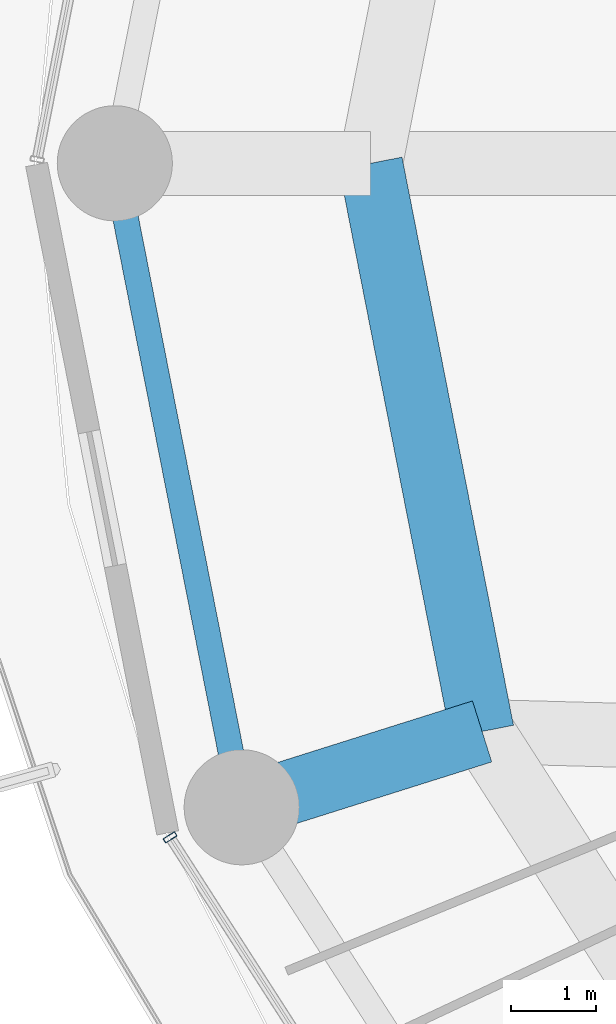
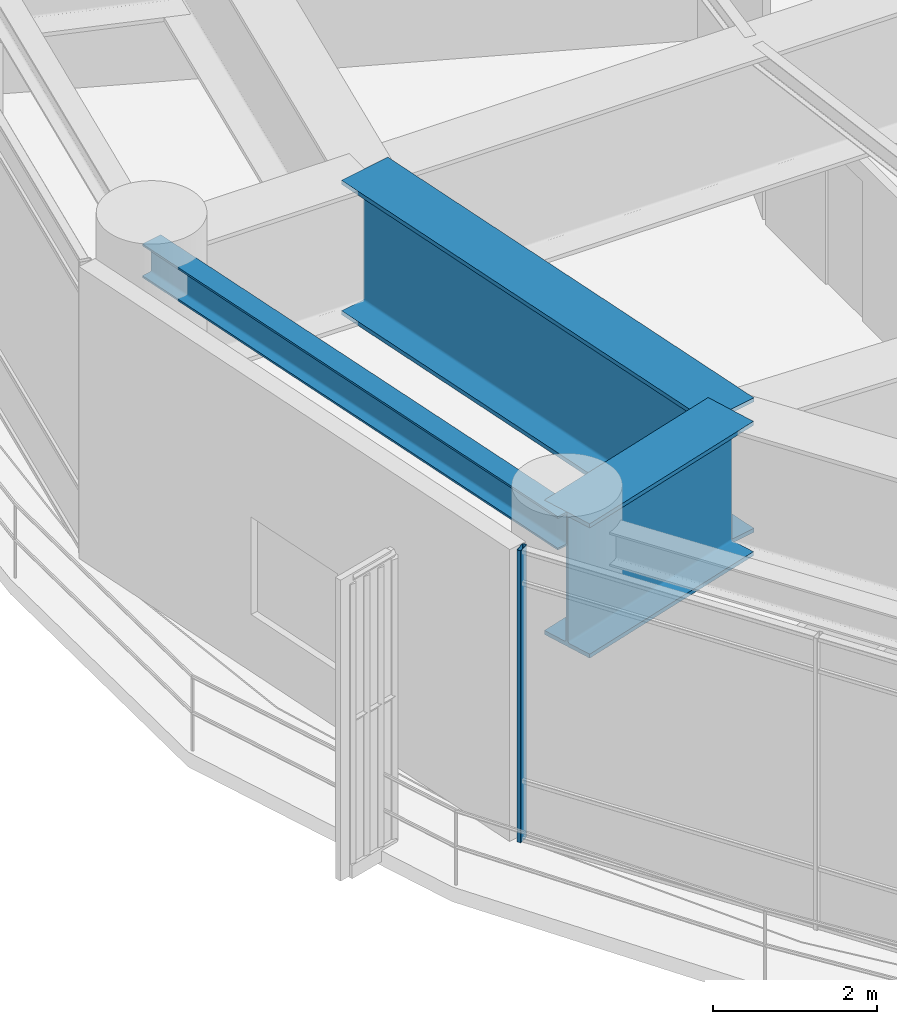
# One storey, part 6 of 34: 3 beams, 1 member, 1 element without a shape of its own.
"""IFC4 building model written with IfcOpenShell, lengths in metres."""

from ifc_helpers import new_model, si_unit, direction, frame, origin, origin_2d, place, context, subcontext, project, spatial, hollow_rectangle, i_section, extrude, material, layer, layer_set, material_profile, profile_set, type_object, element, aggregate, save


model = new_model("IFC4")

# Units and contexts
model_context = context("Model", 3, precision=1e-05, world=origin(), true_north=direction((0.0, 1.0)))
body_context = subcontext(model_context, "Body", "Model", "MODEL_VIEW")
ifc_project = project(units=[si_unit("LENGTHUNIT", "METRE"), si_unit("AREAUNIT", "SQUARE_METRE"), si_unit("VOLUMEUNIT", "CUBIC_METRE"), si_unit("PLANEANGLEUNIT", "RADIAN"), si_unit("MASSUNIT", "GRAM", prefix="KILO")], contexts=[model_context])

# Site, building, storey
site_placement = place(None, origin())
site = spatial("IfcSite", under=ifc_project, at=site_placement, CompositionType="ELEMENT")
building_placement = place(site_placement, origin())
building = spatial("IfcBuilding", under=site, at=building_placement, Name="Kelanora Arch Commons", CompositionType="ELEMENT")
storey_placement = place(building_placement, frame((0.0, 0.0, 125.10009765625)))
storey = spatial("IfcBuildingStorey", under=building, at=storey_placement, Name="L32", CompositionType="ELEMENT", Elevation=125.10009765625)

# Beams
ifc_material_1 = material(Name="Steel S355", Category="steel")
ifc_material_profile_1 = material_profile(ifc_material_1, i_section(OverallWidth=0.300048828125, OverallDepth=0.5, WebThickness=0.014404296875, FlangeThickness=0.028076171875, FilletRadius=0.027099609375, at=origin_2d()), Name="HEB500")
ifc_profile_set_1 = profile_set([ifc_material_profile_1], Name="Steel S355")
beam_type_1 = type_object("IfcBeamType", Name="BM-SPN-Z2", PredefinedType="SPANDREL", material=ifc_profile_set_1)
beam_1_placement = place(storey_placement, frame((49.320068359375, 58.0, 4.10986328125), z_axis=(0.19335825777, -0.981128220037, 0.0), x_axis=(0.981128220037, 0.19335825777, 0.0)))
element("IfcBeam", 1, at=beam_1_placement, inside=storey, type_object=beam_type_1, Name="Perimeter Spandrel Beam BS-18 L32", PredefinedType="SPANDREL", context=body_context, shape_type="SweptSolid", body=[
    extrude(i_section(OverallWidth=0.300048828125, OverallDepth=0.5, WebThickness=0.014404296875, FlangeThickness=0.028076171875, FilletRadius=0.027099609375, at=origin_2d()), origin(), (0.0, 0.0, 1.0), 7.697021484375),
])
ifc_material_profile_2 = material_profile(ifc_material_1, i_section(OverallWidth=0.75, OverallDepth=2.0, WebThickness=0.034912109375, FlangeThickness=0.06005859375, FilletRadius=0.028076171875, at=origin_2d()), Name="PG2000x750")
ifc_profile_set_2 = profile_set([ifc_material_profile_2], Name="Steel S355")
beam_type_2 = type_object("IfcBeamType", Name="BM-XFER-SET", PredefinedType="USERDEFINED", material=ifc_profile_set_2)
beam_2_placement = place(storey_placement, frame((53.62744140625, 51.33740234375, 3.35986328125), z_axis=(-0.953687459381, -0.300799318184, 0.0), x_axis=(0.300799318184, -0.953687459381, 0.0)))
element("IfcBeam", 2, at=beam_2_placement, inside=storey, type_object=beam_type_2, Name="Radial Floor Girder BR-20 L32", ObjectType="TRANSFER_GIRDER", PredefinedType="USERDEFINED", context=body_context, shape_type="SweptSolid", body=[
    extrude(i_section(OverallWidth=0.75, OverallDepth=2.0, WebThickness=0.034912109375, FlangeThickness=0.06005859375, FilletRadius=0.028076171875, at=origin_2d()), origin(), (0.0, 0.0, 1.0), 2.9560546875),
])
beam_3_placement = place(storey_placement, frame((52.320068359375, 58.0, 3.35986328125), z_axis=(0.192553643556, -0.981286448675, 0.0), x_axis=(0.981286448675, 0.192553643556, 0.0)))
element("IfcBeam", 3, at=beam_3_placement, inside=storey, type_object=beam_type_2, Name="Setback Inner Transfer Ring BSI-18 L32", ObjectType="TRANSFER_GIRDER", PredefinedType="USERDEFINED", context=body_context, shape_type="SweptSolid", body=[
    extrude(i_section(OverallWidth=0.75, OverallDepth=2.0, WebThickness=0.034912109375, FlangeThickness=0.06005859375, FilletRadius=0.028076171875, at=origin_2d()), origin(), (0.0, 0.0, 1.0), 6.78955078125),
])

# Curtain wall, member
ifc_material_2 = material(Name="Terracotta ceramic-fritted low-E glass and aluminium", Category="masonry")
ifc_layer = layer(ifc_material_2, 0.159912109375)
ifc_layer_set = layer_set([ifc_layer], Name="Terracotta ceramic-fritted low-E glass and aluminium")
curtain_wall_type = type_object("IfcCurtainWallType", Name="CW-SYS-01", PredefinedType="NOTDEFINED", material=ifc_layer_set)
curtain_wall_placement = place(storey_placement, origin())
curtain_wall = element("IfcCurtainWall", 4, at=curtain_wall_placement, inside=storey, type_object=curtain_wall_type, Name="Unitised Curtain Wall L32-B10", PredefinedType="NOTDEFINED")
ifc_material_3 = material(Name="Powder-coated aluminium terracotta", Category="masonry")
ifc_material_profile_3 = material_profile(ifc_material_3, hollow_rectangle(XDim=0.159912109375, YDim=0.06005859375, WallThickness=0.0048828125, InnerFilletRadius=0.0048828125, OuterFilletRadius=0.010009765625, at=origin_2d()), Name="CWM160x60")
ifc_profile_set_3 = profile_set([ifc_material_profile_3], Name="Powder-coated aluminium terracotta")
member_type = type_object("IfcMemberType", Name="CWM-STD", PredefinedType="MULLION", material=ifc_profile_set_3)
member_placement = place(storey_placement, frame((49.96826171875, 50.095703125, 0.0), z_axis=(0.0, 0.0, 1.0), x_axis=(0.841268883088, 0.540616931244, 0.0)))
member = element("IfcMember", 5, at=member_placement, type_object=member_type, Name="CW-01 mullion 1", PredefinedType="MULLION", context=body_context, shape_type="SweptSolid", body=[
    extrude(hollow_rectangle(XDim=0.159912109375, YDim=0.06005859375, WallThickness=0.0048828125, InnerFilletRadius=0.0048828125, OuterFilletRadius=0.010009765625, at=origin_2d()), origin(), (0.0, 0.0, 1.0), 4.344970703125),
])
aggregate(curtain_wall, [member])

save(model, "model.ifc")
